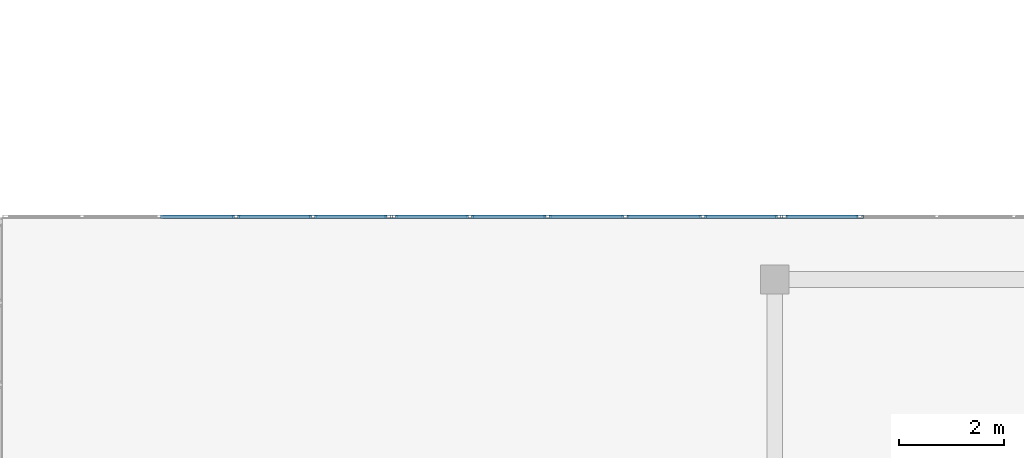
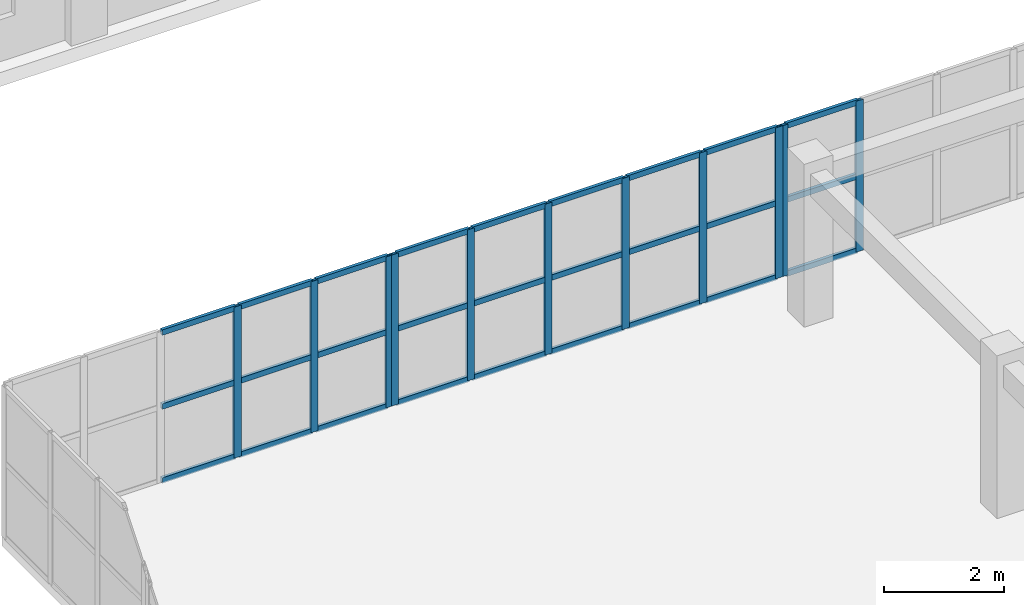
# One storey, part 79 of 148: 38 members, 3 elements without a shape of their own.
"""IFC4 building model written with IfcOpenShell, lengths in metres."""

from ifc_helpers import new_model, si_unit, direction, frame, origin, origin_2d, place, context, subcontext, project, spatial, hollow_rectangle, extrude, material, layer, layer_set, material_profile, profile_set, type_object, element, aggregate, save


model = new_model("IFC4")

# Units and contexts
model_context = context("Model", 3, precision=1e-05, world=origin(), true_north=direction((0.0, 1.0)))
body_context = subcontext(model_context, "Body", "Model", "MODEL_VIEW")
ifc_project = project(units=[si_unit("LENGTHUNIT", "METRE"), si_unit("AREAUNIT", "SQUARE_METRE"), si_unit("VOLUMEUNIT", "CUBIC_METRE"), si_unit("PLANEANGLEUNIT", "RADIAN"), si_unit("MASSUNIT", "GRAM", prefix="KILO")], contexts=[model_context])

# Site, building, storey
site_placement = place(None, origin())
site = spatial("IfcSite", under=ifc_project, at=site_placement, CompositionType="ELEMENT")
building_placement = place(site_placement, origin())
building = spatial("IfcBuilding", under=site, at=building_placement, Name="Trelvath General Hospital", CompositionType="ELEMENT")
storey_placement = place(building_placement, frame((0.0, 0.0, 12.89990234375)))
storey = spatial("IfcBuildingStorey", under=building, at=storey_placement, Name="L03", CompositionType="ELEMENT", Elevation=12.89990234375)

# Curtain wall, members
ifc_material_1 = material(Name="Anodised aluminium and low-E glass", Category="aluminium")
ifc_layer_1 = layer(ifc_material_1, 0.14990234375)
ifc_layer_set_1 = layer_set([ifc_layer_1], Name="Anodised aluminium and low-E glass")
curtain_wall_type_1 = type_object("IfcCurtainWallType", Name="CW CrystalCube 737 306 15", PredefinedType="USERDEFINED", material=ifc_layer_set_1)
curtain_wall_1_placement = place(storey_placement, origin())
curtain_wall_1 = element("IfcCurtainWall", 1, at=curtain_wall_1_placement, inside=storey, type_object=curtain_wall_type_1, Name="Crystal Cube Curtain Wall CUBE-E-T1 N1 L03", ObjectType="Unitised Glazed Curtain Wall", PredefinedType="USERDEFINED")
ifc_material_2 = material(Name="Anodised aluminium", Category="aluminium")
ifc_material_profile_1 = material_profile(ifc_material_2, hollow_rectangle(XDim=0.06005859375, YDim=0.139892578125, WallThickness=0.00390625, at=origin_2d()), Name="RHS60x140x4")
ifc_profile_set_1 = profile_set([ifc_material_profile_1], Name="Anodised aluminium")
member_type_1 = type_object("IfcMemberType", Name="CurtainMullion 60x140", PredefinedType="MULLION", material=ifc_profile_set_1)
member_1_placement = place(storey_placement, frame((96.89990234375, 80.39990234375, 0.0), z_axis=(0.0, 0.0, 1.0), x_axis=(0.0, 1.0, 0.0)))
member_1 = element("IfcMember", 2, at=member_1_placement, type_object=member_type_1, Name="CW-247 mullion 4", PredefinedType="MULLION", context=body_context, shape_type="SweptSolid", body=[
    extrude(hollow_rectangle(XDim=0.06005859375, YDim=0.139892578125, WallThickness=0.00390625, at=origin_2d()), origin(), (0.0, 0.0, 1.0), 3.06005859375),
])
member_2_placement = place(storey_placement, frame((98.373291015625, 80.39990234375, 0.0), z_axis=(0.0, 0.0, 1.0), x_axis=(0.0, 1.0, 0.0)))
member_2 = element("IfcMember", 3, at=member_2_placement, type_object=member_type_1, Name="CW-247 mullion 5", PredefinedType="MULLION", context=body_context, shape_type="SweptSolid", body=[
    extrude(hollow_rectangle(XDim=0.06005859375, YDim=0.139892578125, WallThickness=0.00390625, at=origin_2d()), origin(), (0.0, 0.0, 1.0), 3.06005859375),
])
member_3_placement = place(storey_placement, frame((99.816650390625, 80.39990234375, 0.0), z_axis=(0.0, 0.0, 1.0), x_axis=(0.0, 1.0, 0.0)))
member_3 = element("IfcMember", 4, at=member_3_placement, type_object=member_type_1, Name="CW-247 mullion 6", PredefinedType="MULLION", context=body_context, shape_type="SweptSolid", body=[
    extrude(hollow_rectangle(XDim=0.06005859375, YDim=0.139892578125, WallThickness=0.00390625, at=origin_2d()), origin(), (0.0, 0.0, 1.0), 3.06005859375),
])

ifc_material_3 = material(Name="Anodised aluminium and low-E glass", Category="aluminium")
ifc_layer_2 = layer(ifc_material_3, 0.14990234375)
ifc_layer_set_2 = layer_set([ifc_layer_2], Name="Anodised aluminium and low-E glass")
curtain_wall_type_2 = type_object("IfcCurtainWallType", Name="CW CrystalCube 743 306 15", PredefinedType="USERDEFINED", material=ifc_layer_set_2)
curtain_wall_2_placement = place(storey_placement, origin())
curtain_wall_2 = element("IfcCurtainWall", 5, at=curtain_wall_2_placement, inside=storey, type_object=curtain_wall_type_2, Name="Crystal Cube Curtain Wall CUBE-E-T1 N2 L03", ObjectType="Unitised Glazed Curtain Wall", PredefinedType="USERDEFINED")
member_4_placement = place(storey_placement, frame((99.916748046875, 80.39990234375, 0.0), z_axis=(0.0, 0.0, 1.0), x_axis=(0.0, 1.0, 0.0)))
member_4 = element("IfcMember", 6, at=member_4_placement, type_object=member_type_1, Name="CW-248 mullion 1", PredefinedType="MULLION", context=body_context, shape_type="SweptSolid", body=[
    extrude(hollow_rectangle(XDim=0.06005859375, YDim=0.139892578125, WallThickness=0.00390625, at=origin_2d()), origin(), (0.0, 0.0, 1.0), 3.06005859375),
])
member_5_placement = place(storey_placement, frame((101.3720703125, 80.39990234375, 0.0), z_axis=(0.0, 0.0, 1.0), x_axis=(0.0, 1.0, 0.0)))
member_5 = element("IfcMember", 7, at=member_5_placement, type_object=member_type_1, Name="CW-248 mullion 2", PredefinedType="MULLION", context=body_context, shape_type="SweptSolid", body=[
    extrude(hollow_rectangle(XDim=0.06005859375, YDim=0.139892578125, WallThickness=0.00390625, at=origin_2d()), origin(), (0.0, 0.0, 1.0), 3.06005859375),
])
member_6_placement = place(storey_placement, frame((102.857421875, 80.39990234375, 0.0), z_axis=(0.0, 0.0, 1.0), x_axis=(0.0, 1.0, 0.0)))
member_6 = element("IfcMember", 8, at=member_6_placement, type_object=member_type_1, Name="CW-248 mullion 3", PredefinedType="MULLION", context=body_context, shape_type="SweptSolid", body=[
    extrude(hollow_rectangle(XDim=0.06005859375, YDim=0.139892578125, WallThickness=0.00390625, at=origin_2d()), origin(), (0.0, 0.0, 1.0), 3.06005859375),
])
member_7_placement = place(storey_placement, frame((104.3427734375, 80.39990234375, 0.0), z_axis=(0.0, 0.0, 1.0), x_axis=(0.0, 1.0, 0.0)))
member_7 = element("IfcMember", 9, at=member_7_placement, type_object=member_type_1, Name="CW-248 mullion 4", PredefinedType="MULLION", context=body_context, shape_type="SweptSolid", body=[
    extrude(hollow_rectangle(XDim=0.06005859375, YDim=0.139892578125, WallThickness=0.00390625, at=origin_2d()), origin(), (0.0, 0.0, 1.0), 3.06005859375),
])
member_8_placement = place(storey_placement, frame((105.827880859375, 80.39990234375, 0.0), z_axis=(0.0, 0.0, 1.0), x_axis=(0.0, 1.0, 0.0)))
member_8 = element("IfcMember", 10, at=member_8_placement, type_object=member_type_1, Name="CW-248 mullion 5", PredefinedType="MULLION", context=body_context, shape_type="SweptSolid", body=[
    extrude(hollow_rectangle(XDim=0.06005859375, YDim=0.139892578125, WallThickness=0.00390625, at=origin_2d()), origin(), (0.0, 0.0, 1.0), 3.06005859375),
])
member_9_placement = place(storey_placement, frame((107.283203125, 80.39990234375, 0.0), z_axis=(0.0, 0.0, 1.0), x_axis=(0.0, 1.0, 0.0)))
member_9 = element("IfcMember", 11, at=member_9_placement, type_object=member_type_1, Name="CW-248 mullion 6", PredefinedType="MULLION", context=body_context, shape_type="SweptSolid", body=[
    extrude(hollow_rectangle(XDim=0.06005859375, YDim=0.139892578125, WallThickness=0.00390625, at=origin_2d()), origin(), (0.0, 0.0, 1.0), 3.06005859375),
])

curtain_wall_3_placement = place(storey_placement, origin())
curtain_wall_3 = element("IfcCurtainWall", 12, at=curtain_wall_3_placement, inside=storey, type_object=curtain_wall_type_1, Name="Crystal Cube Curtain Wall CUBE-E-T1 N3 L03", ObjectType="Unitised Glazed Curtain Wall", PredefinedType="USERDEFINED")
member_10_placement = place(storey_placement, frame((107.38330078125, 80.39990234375, 0.0), z_axis=(0.0, 0.0, 1.0), x_axis=(0.0, 1.0, 0.0)))
member_10 = element("IfcMember", 13, at=member_10_placement, type_object=member_type_1, Name="CW-249 mullion 1", PredefinedType="MULLION", context=body_context, shape_type="SweptSolid", body=[
    extrude(hollow_rectangle(XDim=0.06005859375, YDim=0.139892578125, WallThickness=0.00390625, at=origin_2d()), origin(), (0.0, 0.0, 1.0), 3.06005859375),
])
member_11_placement = place(storey_placement, frame((108.82666015625, 80.39990234375, 0.0), z_axis=(0.0, 0.0, 1.0), x_axis=(0.0, 1.0, 0.0)))
member_11 = element("IfcMember", 14, at=member_11_placement, type_object=member_type_1, Name="CW-249 mullion 2", PredefinedType="MULLION", context=body_context, shape_type="SweptSolid", body=[
    extrude(hollow_rectangle(XDim=0.06005859375, YDim=0.139892578125, WallThickness=0.00390625, at=origin_2d()), origin(), (0.0, 0.0, 1.0), 3.06005859375),
])

# Member
ifc_material_4 = material(Name="Anodised aluminium", Category="aluminium")
ifc_material_profile_2 = material_profile(ifc_material_4, hollow_rectangle(XDim=0.06005859375, YDim=0.110107421875, WallThickness=0.00390625, at=origin_2d()), Name="RHS60x110x4")
ifc_profile_set_2 = profile_set([ifc_material_profile_2], Name="Anodised aluminium")
member_type_2 = type_object("IfcMemberType", Name="CurtainTransom 60x110", PredefinedType="USERDEFINED", material=ifc_profile_set_2)
member_12_placement = place(storey_placement, frame((95.456787109375, 80.39990234375, 0.030029296875), z_axis=(1.0, 0.0, 0.0), x_axis=(0.0, 1.0, 0.0)))
member_12 = element("IfcMember", 15, at=member_12_placement, type_object=member_type_2, Name="CW-247 transom 3.1", ObjectType="TRANSOM", PredefinedType="USERDEFINED", context=body_context, shape_type="SweptSolid", body=[
    extrude(hollow_rectangle(XDim=0.06005859375, YDim=0.110107421875, WallThickness=0.00390625, at=origin_2d()), origin(), (0.0, 0.0, 1.0), 1.413330078125),
])

member_13_placement = place(storey_placement, frame((95.456787109375, 80.39990234375, 1.530029296875), z_axis=(1.0, 0.0, 0.0), x_axis=(0.0, 1.0, 0.0)))
member_13 = element("IfcMember", 16, at=member_13_placement, type_object=member_type_2, Name="CW-247 transom 3.2", ObjectType="TRANSOM", PredefinedType="USERDEFINED", context=body_context, shape_type="SweptSolid", body=[
    extrude(hollow_rectangle(XDim=0.06005859375, YDim=0.110107421875, WallThickness=0.00390625, at=origin_2d()), origin(), (0.0, 0.0, 1.0), 1.413330078125),
])

member_14_placement = place(storey_placement, frame((95.456787109375, 80.39990234375, 3.030029296875), z_axis=(1.0, 0.0, 0.0), x_axis=(0.0, 1.0, 0.0)))
member_14 = element("IfcMember", 17, at=member_14_placement, type_object=member_type_2, Name="CW-247 transom 3.3", ObjectType="TRANSOM", PredefinedType="USERDEFINED", context=body_context, shape_type="SweptSolid", body=[
    extrude(hollow_rectangle(XDim=0.06005859375, YDim=0.110107421875, WallThickness=0.00390625, at=origin_2d()), origin(), (0.0, 0.0, 1.0), 1.413330078125),
])

member_15_placement = place(storey_placement, frame((96.929931640625, 80.39990234375, 0.030029296875), z_axis=(1.0, 0.0, 0.0), x_axis=(0.0, 1.0, 0.0)))
member_15 = element("IfcMember", 18, at=member_15_placement, type_object=member_type_2, Name="CW-247 transom 4.1", ObjectType="TRANSOM", PredefinedType="USERDEFINED", context=body_context, shape_type="SweptSolid", body=[
    extrude(hollow_rectangle(XDim=0.06005859375, YDim=0.110107421875, WallThickness=0.00390625, at=origin_2d()), origin(), (0.0, 0.0, 1.0), 1.413330078125),
])

member_16_placement = place(storey_placement, frame((96.929931640625, 80.39990234375, 1.530029296875), z_axis=(1.0, 0.0, 0.0), x_axis=(0.0, 1.0, 0.0)))
member_16 = element("IfcMember", 19, at=member_16_placement, type_object=member_type_2, Name="CW-247 transom 4.2", ObjectType="TRANSOM", PredefinedType="USERDEFINED", context=body_context, shape_type="SweptSolid", body=[
    extrude(hollow_rectangle(XDim=0.06005859375, YDim=0.110107421875, WallThickness=0.00390625, at=origin_2d()), origin(), (0.0, 0.0, 1.0), 1.413330078125),
])

member_17_placement = place(storey_placement, frame((96.929931640625, 80.39990234375, 3.030029296875), z_axis=(1.0, 0.0, 0.0), x_axis=(0.0, 1.0, 0.0)))
member_17 = element("IfcMember", 20, at=member_17_placement, type_object=member_type_2, Name="CW-247 transom 4.3", ObjectType="TRANSOM", PredefinedType="USERDEFINED", context=body_context, shape_type="SweptSolid", body=[
    extrude(hollow_rectangle(XDim=0.06005859375, YDim=0.110107421875, WallThickness=0.00390625, at=origin_2d()), origin(), (0.0, 0.0, 1.0), 1.413330078125),
])

member_18_placement = place(storey_placement, frame((98.4033203125, 80.39990234375, 0.030029296875), z_axis=(1.0, 0.0, 0.0), x_axis=(0.0, 1.0, 0.0)))
member_18 = element("IfcMember", 21, at=member_18_placement, type_object=member_type_2, Name="CW-247 transom 5.1", ObjectType="TRANSOM", PredefinedType="USERDEFINED", context=body_context, shape_type="SweptSolid", body=[
    extrude(hollow_rectangle(XDim=0.06005859375, YDim=0.110107421875, WallThickness=0.00390625, at=origin_2d()), origin(), (0.0, 0.0, 1.0), 1.38330078125),
])

member_19_placement = place(storey_placement, frame((98.4033203125, 80.39990234375, 1.530029296875), z_axis=(1.0, 0.0, 0.0), x_axis=(0.0, 1.0, 0.0)))
member_19 = element("IfcMember", 22, at=member_19_placement, type_object=member_type_2, Name="CW-247 transom 5.2", ObjectType="TRANSOM", PredefinedType="USERDEFINED", context=body_context, shape_type="SweptSolid", body=[
    extrude(hollow_rectangle(XDim=0.06005859375, YDim=0.110107421875, WallThickness=0.00390625, at=origin_2d()), origin(), (0.0, 0.0, 1.0), 1.38330078125),
])

member_20_placement = place(storey_placement, frame((98.4033203125, 80.39990234375, 3.030029296875), z_axis=(1.0, 0.0, 0.0), x_axis=(0.0, 1.0, 0.0)))
member_20 = element("IfcMember", 23, at=member_20_placement, type_object=member_type_2, Name="CW-247 transom 5.3", ObjectType="TRANSOM", PredefinedType="USERDEFINED", context=body_context, shape_type="SweptSolid", body=[
    extrude(hollow_rectangle(XDim=0.06005859375, YDim=0.110107421875, WallThickness=0.00390625, at=origin_2d()), origin(), (0.0, 0.0, 1.0), 1.38330078125),
])

aggregate(curtain_wall_1, [member_1, member_2, member_3, member_12, member_13, member_14, member_15, member_16, member_17, member_18, member_19, member_20])

member_21_placement = place(storey_placement, frame((99.94677734375, 80.39990234375, 0.030029296875), z_axis=(1.0, 0.0, 0.0), x_axis=(0.0, 1.0, 0.0)))
member_21 = element("IfcMember", 24, at=member_21_placement, type_object=member_type_2, Name="CW-248 transom 1.1", ObjectType="TRANSOM", PredefinedType="USERDEFINED", context=body_context, shape_type="SweptSolid", body=[
    extrude(hollow_rectangle(XDim=0.06005859375, YDim=0.110107421875, WallThickness=0.00390625, at=origin_2d()), origin(), (0.0, 0.0, 1.0), 1.395263671875),
])

member_22_placement = place(storey_placement, frame((99.94677734375, 80.39990234375, 1.530029296875), z_axis=(1.0, 0.0, 0.0), x_axis=(0.0, 1.0, 0.0)))
member_22 = element("IfcMember", 25, at=member_22_placement, type_object=member_type_2, Name="CW-248 transom 1.2", ObjectType="TRANSOM", PredefinedType="USERDEFINED", context=body_context, shape_type="SweptSolid", body=[
    extrude(hollow_rectangle(XDim=0.06005859375, YDim=0.110107421875, WallThickness=0.00390625, at=origin_2d()), origin(), (0.0, 0.0, 1.0), 1.395263671875),
])

member_23_placement = place(storey_placement, frame((99.94677734375, 80.39990234375, 3.030029296875), z_axis=(1.0, 0.0, 0.0), x_axis=(0.0, 1.0, 0.0)))
member_23 = element("IfcMember", 26, at=member_23_placement, type_object=member_type_2, Name="CW-248 transom 1.3", ObjectType="TRANSOM", PredefinedType="USERDEFINED", context=body_context, shape_type="SweptSolid", body=[
    extrude(hollow_rectangle(XDim=0.06005859375, YDim=0.110107421875, WallThickness=0.00390625, at=origin_2d()), origin(), (0.0, 0.0, 1.0), 1.395263671875),
])

member_24_placement = place(storey_placement, frame((101.402099609375, 80.39990234375, 0.030029296875), z_axis=(1.0, 0.0, 0.0), x_axis=(0.0, 1.0, 0.0)))
member_24 = element("IfcMember", 27, at=member_24_placement, type_object=member_type_2, Name="CW-248 transom 2.1", ObjectType="TRANSOM", PredefinedType="USERDEFINED", context=body_context, shape_type="SweptSolid", body=[
    extrude(hollow_rectangle(XDim=0.06005859375, YDim=0.110107421875, WallThickness=0.00390625, at=origin_2d()), origin(), (0.0, 0.0, 1.0), 1.42529296875),
])

member_25_placement = place(storey_placement, frame((101.402099609375, 80.39990234375, 1.530029296875), z_axis=(1.0, 0.0, 0.0), x_axis=(0.0, 1.0, 0.0)))
member_25 = element("IfcMember", 28, at=member_25_placement, type_object=member_type_2, Name="CW-248 transom 2.2", ObjectType="TRANSOM", PredefinedType="USERDEFINED", context=body_context, shape_type="SweptSolid", body=[
    extrude(hollow_rectangle(XDim=0.06005859375, YDim=0.110107421875, WallThickness=0.00390625, at=origin_2d()), origin(), (0.0, 0.0, 1.0), 1.42529296875),
])

member_26_placement = place(storey_placement, frame((101.402099609375, 80.39990234375, 3.030029296875), z_axis=(1.0, 0.0, 0.0), x_axis=(0.0, 1.0, 0.0)))
member_26 = element("IfcMember", 29, at=member_26_placement, type_object=member_type_2, Name="CW-248 transom 2.3", ObjectType="TRANSOM", PredefinedType="USERDEFINED", context=body_context, shape_type="SweptSolid", body=[
    extrude(hollow_rectangle(XDim=0.06005859375, YDim=0.110107421875, WallThickness=0.00390625, at=origin_2d()), origin(), (0.0, 0.0, 1.0), 1.42529296875),
])

member_27_placement = place(storey_placement, frame((102.887451171875, 80.39990234375, 0.030029296875), z_axis=(1.0, 0.0, 0.0), x_axis=(0.0, 1.0, 0.0)))
member_27 = element("IfcMember", 30, at=member_27_placement, type_object=member_type_2, Name="CW-248 transom 3.1", ObjectType="TRANSOM", PredefinedType="USERDEFINED", context=body_context, shape_type="SweptSolid", body=[
    extrude(hollow_rectangle(XDim=0.06005859375, YDim=0.110107421875, WallThickness=0.00390625, at=origin_2d()), origin(), (0.0, 0.0, 1.0), 1.42529296875),
])

member_28_placement = place(storey_placement, frame((102.887451171875, 80.39990234375, 1.530029296875), z_axis=(1.0, 0.0, 0.0), x_axis=(0.0, 1.0, 0.0)))
member_28 = element("IfcMember", 31, at=member_28_placement, type_object=member_type_2, Name="CW-248 transom 3.2", ObjectType="TRANSOM", PredefinedType="USERDEFINED", context=body_context, shape_type="SweptSolid", body=[
    extrude(hollow_rectangle(XDim=0.06005859375, YDim=0.110107421875, WallThickness=0.00390625, at=origin_2d()), origin(), (0.0, 0.0, 1.0), 1.42529296875),
])

member_29_placement = place(storey_placement, frame((102.887451171875, 80.39990234375, 3.030029296875), z_axis=(1.0, 0.0, 0.0), x_axis=(0.0, 1.0, 0.0)))
member_29 = element("IfcMember", 32, at=member_29_placement, type_object=member_type_2, Name="CW-248 transom 3.3", ObjectType="TRANSOM", PredefinedType="USERDEFINED", context=body_context, shape_type="SweptSolid", body=[
    extrude(hollow_rectangle(XDim=0.06005859375, YDim=0.110107421875, WallThickness=0.00390625, at=origin_2d()), origin(), (0.0, 0.0, 1.0), 1.42529296875),
])

member_30_placement = place(storey_placement, frame((104.37255859375, 80.39990234375, 0.030029296875), z_axis=(1.0, 0.0, 0.0), x_axis=(0.0, 1.0, 0.0)))
member_30 = element("IfcMember", 33, at=member_30_placement, type_object=member_type_2, Name="CW-248 transom 4.1", ObjectType="TRANSOM", PredefinedType="USERDEFINED", context=body_context, shape_type="SweptSolid", body=[
    extrude(hollow_rectangle(XDim=0.06005859375, YDim=0.110107421875, WallThickness=0.00390625, at=origin_2d()), origin(), (0.0, 0.0, 1.0), 1.425537109375),
])

member_31_placement = place(storey_placement, frame((104.37255859375, 80.39990234375, 1.530029296875), z_axis=(1.0, 0.0, 0.0), x_axis=(0.0, 1.0, 0.0)))
member_31 = element("IfcMember", 34, at=member_31_placement, type_object=member_type_2, Name="CW-248 transom 4.2", ObjectType="TRANSOM", PredefinedType="USERDEFINED", context=body_context, shape_type="SweptSolid", body=[
    extrude(hollow_rectangle(XDim=0.06005859375, YDim=0.110107421875, WallThickness=0.00390625, at=origin_2d()), origin(), (0.0, 0.0, 1.0), 1.425537109375),
])

member_32_placement = place(storey_placement, frame((104.37255859375, 80.39990234375, 3.030029296875), z_axis=(1.0, 0.0, 0.0), x_axis=(0.0, 1.0, 0.0)))
member_32 = element("IfcMember", 35, at=member_32_placement, type_object=member_type_2, Name="CW-248 transom 4.3", ObjectType="TRANSOM", PredefinedType="USERDEFINED", context=body_context, shape_type="SweptSolid", body=[
    extrude(hollow_rectangle(XDim=0.06005859375, YDim=0.110107421875, WallThickness=0.00390625, at=origin_2d()), origin(), (0.0, 0.0, 1.0), 1.425537109375),
])

member_33_placement = place(storey_placement, frame((105.85791015625, 80.39990234375, 0.030029296875), z_axis=(1.0, 0.0, 0.0), x_axis=(0.0, 1.0, 0.0)))
member_33 = element("IfcMember", 36, at=member_33_placement, type_object=member_type_2, Name="CW-248 transom 5.1", ObjectType="TRANSOM", PredefinedType="USERDEFINED", context=body_context, shape_type="SweptSolid", body=[
    extrude(hollow_rectangle(XDim=0.06005859375, YDim=0.110107421875, WallThickness=0.00390625, at=origin_2d()), origin(), (0.0, 0.0, 1.0), 1.3955078125),
])

member_34_placement = place(storey_placement, frame((105.85791015625, 80.39990234375, 1.530029296875), z_axis=(1.0, 0.0, 0.0), x_axis=(0.0, 1.0, 0.0)))
member_34 = element("IfcMember", 37, at=member_34_placement, type_object=member_type_2, Name="CW-248 transom 5.2", ObjectType="TRANSOM", PredefinedType="USERDEFINED", context=body_context, shape_type="SweptSolid", body=[
    extrude(hollow_rectangle(XDim=0.06005859375, YDim=0.110107421875, WallThickness=0.00390625, at=origin_2d()), origin(), (0.0, 0.0, 1.0), 1.3955078125),
])

member_35_placement = place(storey_placement, frame((105.85791015625, 80.39990234375, 3.030029296875), z_axis=(1.0, 0.0, 0.0), x_axis=(0.0, 1.0, 0.0)))
member_35 = element("IfcMember", 38, at=member_35_placement, type_object=member_type_2, Name="CW-248 transom 5.3", ObjectType="TRANSOM", PredefinedType="USERDEFINED", context=body_context, shape_type="SweptSolid", body=[
    extrude(hollow_rectangle(XDim=0.06005859375, YDim=0.110107421875, WallThickness=0.00390625, at=origin_2d()), origin(), (0.0, 0.0, 1.0), 1.3955078125),
])

aggregate(curtain_wall_2, [member_4, member_5, member_6, member_7, member_8, member_9, member_21, member_22, member_23, member_24, member_25, member_26, member_27, member_28, member_29, member_30, member_31, member_32, member_33, member_34, member_35])

member_36_placement = place(storey_placement, frame((107.413330078125, 80.39990234375, 0.030029296875), z_axis=(1.0, 0.0, 0.0), x_axis=(0.0, 1.0, 0.0)))
member_36 = element("IfcMember", 39, at=member_36_placement, type_object=member_type_2, Name="CW-249 transom 1.1", ObjectType="TRANSOM", PredefinedType="USERDEFINED", context=body_context, shape_type="SweptSolid", body=[
    extrude(hollow_rectangle(XDim=0.06005859375, YDim=0.110107421875, WallThickness=0.00390625, at=origin_2d()), origin(), (0.0, 0.0, 1.0), 1.38330078125),
])

member_37_placement = place(storey_placement, frame((107.413330078125, 80.39990234375, 1.530029296875), z_axis=(1.0, 0.0, 0.0), x_axis=(0.0, 1.0, 0.0)))
member_37 = element("IfcMember", 40, at=member_37_placement, type_object=member_type_2, Name="CW-249 transom 1.2", ObjectType="TRANSOM", PredefinedType="USERDEFINED", context=body_context, shape_type="SweptSolid", body=[
    extrude(hollow_rectangle(XDim=0.06005859375, YDim=0.110107421875, WallThickness=0.00390625, at=origin_2d()), origin(), (0.0, 0.0, 1.0), 1.38330078125),
])

member_38_placement = place(storey_placement, frame((107.413330078125, 80.39990234375, 3.030029296875), z_axis=(1.0, 0.0, 0.0), x_axis=(0.0, 1.0, 0.0)))
member_38 = element("IfcMember", 41, at=member_38_placement, type_object=member_type_2, Name="CW-249 transom 1.3", ObjectType="TRANSOM", PredefinedType="USERDEFINED", context=body_context, shape_type="SweptSolid", body=[
    extrude(hollow_rectangle(XDim=0.06005859375, YDim=0.110107421875, WallThickness=0.00390625, at=origin_2d()), origin(), (0.0, 0.0, 1.0), 1.38330078125),
])

aggregate(curtain_wall_3, [member_10, member_11, member_36, member_37, member_38])

save(model, "model.ifc")
